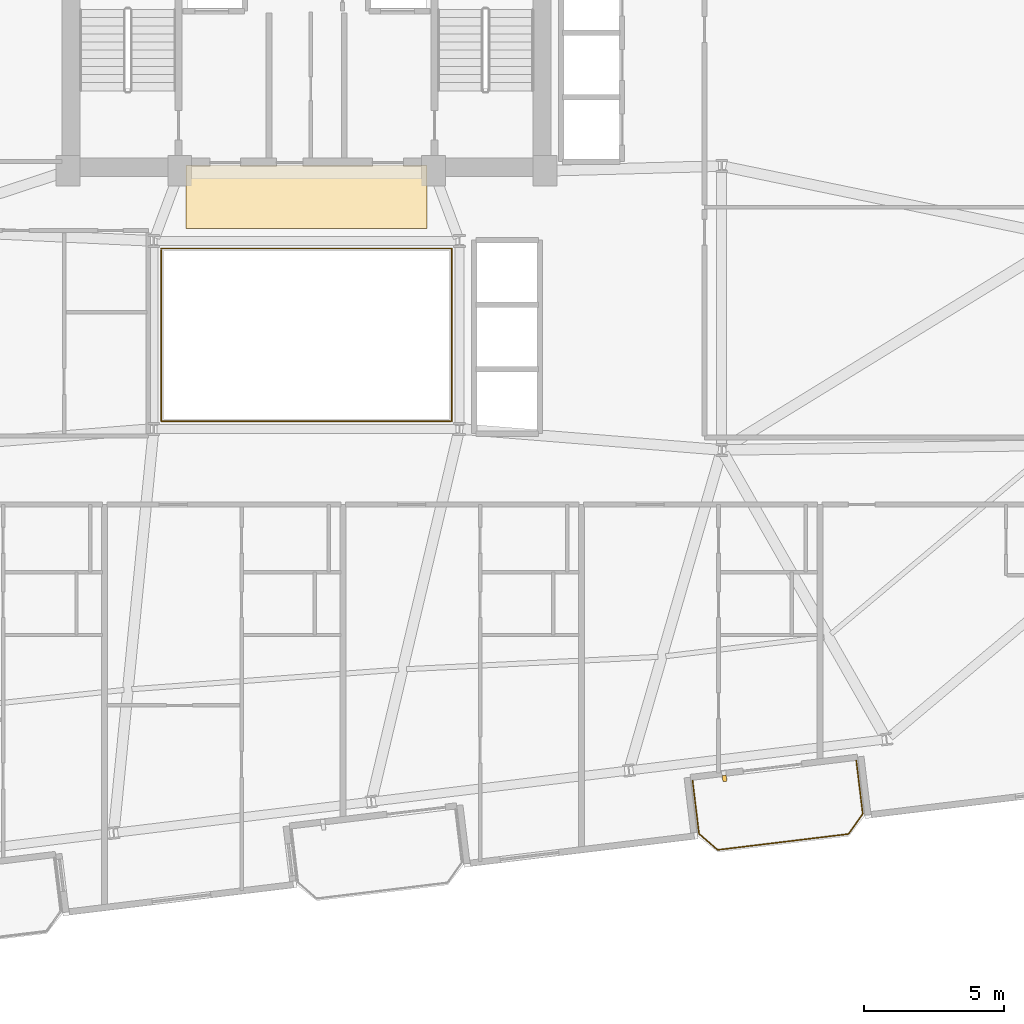
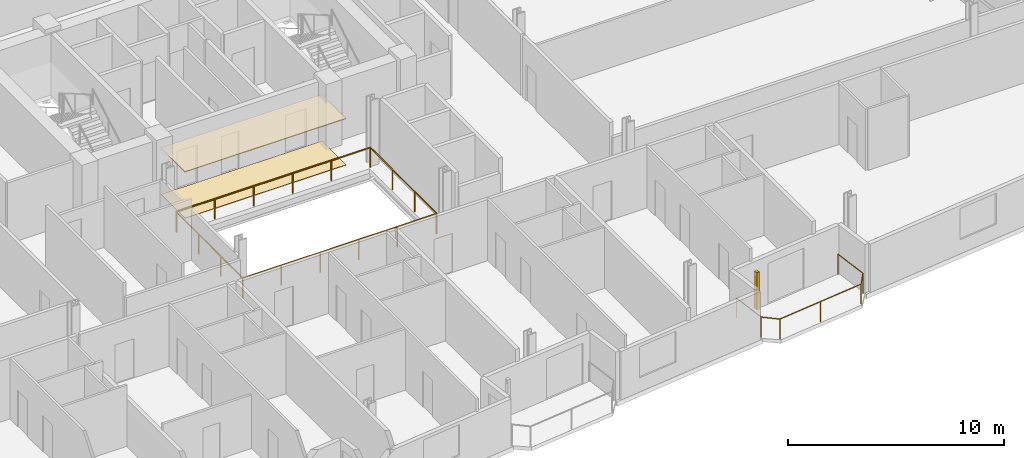
# One storey, part 22 of 24: 3 railings, 2 coverings, 1 shading device.
"""IFC4 building model written with IfcOpenShell, lengths in metres."""

from ifc_helpers import new_model, si_unit, direction, frame, origin, origin_2d, place, context, subcontext, project, spatial, rectangle, circle, extrude, source, transform, mapped, material, layer, layer_set, type_object, element, save


model = new_model("IFC4")

# Units and contexts
model_context = context("Model", 3, precision=1e-05, world=origin(), true_north=direction((0.0, 1.0)))
body_context = subcontext(model_context, "Body", "Model", "MODEL_VIEW")
ifc_project = project(units=[si_unit("LENGTHUNIT", "METRE"), si_unit("AREAUNIT", "SQUARE_METRE"), si_unit("VOLUMEUNIT", "CUBIC_METRE"), si_unit("PLANEANGLEUNIT", "RADIAN"), si_unit("MASSUNIT", "GRAM", prefix="KILO")], contexts=[model_context])

# Site, building, storey
site_placement = place(None, origin())
site = spatial("IfcSite", under=ifc_project, at=site_placement, CompositionType="ELEMENT")
building_placement = place(site_placement, origin())
building = spatial("IfcBuilding", under=site, at=building_placement, Name="Varnelok Gate Tower", CompositionType="ELEMENT")
storey_placement = place(building_placement, frame((0.0, 0.0, 196.800048828125)))
storey = spatial("IfcBuildingStorey", under=building, at=storey_placement, Name="L50", CompositionType="ELEMENT", Elevation=196.800048828125)

# Railings
ifc_material_1 = material(Name="Tempered Laminated Balustrade Glass", Category="glass")
railing_type_1 = type_object("IfcRailingType", Name="RL-ATR-GUARD1150", PredefinedType="GUARDRAIL", material=ifc_material_1)
railing_1_placement = place(storey_placement, frame((34.02001953125, 25.929931640625, 0.0)))
element("IfcRailing", 1, at=railing_1_placement, inside=storey, type_object=railing_type_1, Name="L50 Internal Atrium South-West Guardrail", PredefinedType="GUARDRAIL", context=body_context, shape_type="SweptSolid", body=[
    extrude(circle(Radius=0.02392578125, at=origin_2d()), frame((0.0, 0.0, 1.1259765625), z_axis=(0.0, -1.0, 0.0), x_axis=(1.0, 0.0, 0.0)), (0.0, 0.0, 1.0), 6.10986328125),
    extrude(circle(Radius=0.02392578125, at=origin_2d()), frame((0.0, -6.10986328125, 1.1259765625), z_axis=(1.0, 0.0, 0.0), x_axis=(0.0, 1.0, 0.0)), (0.0, 0.0, 1.0), 10.31005859375),
    extrude(circle(Radius=0.02099609375, at=origin_2d()), origin(), (0.0, 0.0, 1.0), 1.101806640625),
    extrude(circle(Radius=0.02099609375, at=origin_2d()), frame((0.0, -2.03662109375, 0.0)), (0.0, 0.0, 1.0), 1.101806640625),
    extrude(circle(Radius=0.02099609375, at=origin_2d()), frame((0.0, -4.0732421875, 0.0)), (0.0, 0.0, 1.0), 1.101806640625),
    extrude(circle(Radius=0.02099609375, at=origin_2d()), frame((0.0, -6.10986328125, 0.0)), (0.0, 0.0, 1.0), 1.101806640625),
    extrude(circle(Radius=0.02099609375, at=origin_2d()), frame((2.06201171875, -6.10986328125, 0.0)), (0.0, 0.0, 1.0), 1.101806640625),
    extrude(circle(Radius=0.02099609375, at=origin_2d()), frame((4.1240234375, -6.10986328125, 0.0)), (0.0, 0.0, 1.0), 1.101806640625),
    extrude(circle(Radius=0.02099609375, at=origin_2d()), frame((6.18603515625, -6.10986328125, 0.0)), (0.0, 0.0, 1.0), 1.101806640625),
    extrude(circle(Radius=0.02099609375, at=origin_2d()), frame((8.248046875, -6.10986328125, 0.0)), (0.0, 0.0, 1.0), 1.101806640625),
    extrude(circle(Radius=0.02099609375, at=origin_2d()), frame((10.31005859375, -6.10986328125, 0.0)), (0.0, 0.0, 1.0), 1.101806640625),
])
railing_2_placement = place(storey_placement, frame((44.3798828125, 19.820068359375, 0.0)))
element("IfcRailing", 2, at=railing_2_placement, inside=storey, type_object=railing_type_1, Name="L50 Internal Atrium North-East Guardrail", PredefinedType="GUARDRAIL", context=body_context, shape_type="SweptSolid", body=[
    extrude(circle(Radius=0.02392578125, at=origin_2d()), frame((0.0, 0.0, 1.1259765625), z_axis=(0.0, 1.0, 0.0), x_axis=(-1.0, 0.0, 0.0)), (0.0, 0.0, 1.0), 6.159912109375),
    extrude(circle(Radius=0.02392578125, at=origin_2d()), frame((0.0, 6.159912109375, 1.1259765625), z_axis=(-1.0, 0.0, 0.0), x_axis=(0.0, -1.0, 0.0)), (0.0, 0.0, 1.0), 10.35986328125),
    extrude(circle(Radius=0.02099609375, at=origin_2d()), origin(), (0.0, 0.0, 1.0), 1.101806640625),
    extrude(circle(Radius=0.02099609375, at=origin_2d()), frame((0.0, 2.05322265625, 0.0)), (0.0, 0.0, 1.0), 1.101806640625),
    extrude(circle(Radius=0.02099609375, at=origin_2d()), frame((0.0, 4.106689453125, 0.0)), (0.0, 0.0, 1.0), 1.101806640625),
    extrude(circle(Radius=0.02099609375, at=origin_2d()), frame((0.0, 6.159912109375, 0.0)), (0.0, 0.0, 1.0), 1.101806640625),
    extrude(circle(Radius=0.02099609375, at=origin_2d()), frame((-2.072021484375, 6.159912109375, 0.0)), (0.0, 0.0, 1.0), 1.101806640625),
    extrude(circle(Radius=0.02099609375, at=origin_2d()), frame((-4.14404296875, 6.159912109375, 0.0)), (0.0, 0.0, 1.0), 1.101806640625),
    extrude(circle(Radius=0.02099609375, at=origin_2d()), frame((-6.2158203125, 6.159912109375, 0.0)), (0.0, 0.0, 1.0), 1.101806640625),
    extrude(circle(Radius=0.02099609375, at=origin_2d()), frame((-8.287841796875, 6.159912109375, 0.0)), (0.0, 0.0, 1.0), 1.101806640625),
    extrude(circle(Radius=0.02099609375, at=origin_2d()), frame((-10.35986328125, 6.159912109375, 0.0)), (0.0, 0.0, 1.0), 1.101806640625),
])
ifc_material_2 = material(Name="Low-E Laminated Double Glazing IGU", Category="glass")
railing_type_2 = type_object("IfcRailingType", Name="RL-BALC-1150", PredefinedType="BALUSTRADE", material=ifc_material_2)
railing_3_placement = place(storey_placement, frame((52.95947265625, 7.023193359375, 0.0)))
element("IfcRailing", 3, at=railing_3_placement, inside=storey, type_object=railing_type_2, Name="L50 South Terrace Balustrade 3", PredefinedType="BALUSTRADE", context=body_context, shape_type="SweptSolid", body=[
    extrude(circle(Radius=0.02392578125, at=origin_2d()), frame((0.0, 0.0, 1.1259765625), z_axis=(0.12040351024, -0.992725034802, 0.0), x_axis=(0.992725034802, 0.12040351024, 0.0)), (0.0, 0.0, 1.0), 1.920166015625),
    extrude(circle(Radius=0.02392578125, at=origin_2d()), frame((0.231201171875, -1.90625, 1.1259765625), z_axis=(0.756303655992, -0.654220742513, 0.0), x_axis=(0.654220742513, 0.756303655992, 0.0)), (0.0, 0.0, 1.0), 0.877685546875),
    extrude(circle(Radius=0.02392578125, at=origin_2d()), frame((0.89501953125, -2.48046875, 1.1259765625), z_axis=(0.99273133746, 0.120351533534, 0.0), x_axis=(-0.120351533534, 0.99273133746, 0.0)), (0.0, 0.0, 1.0), 4.7001953125),
    extrude(circle(Radius=0.02392578125, at=origin_2d()), frame((5.56103515625, -1.914794921875, 1.1259765625), z_axis=(0.577971037086, 0.816057277579, 0.0), x_axis=(-0.816057277579, 0.577971037086, 0.0)), (0.0, 0.0, 1.0), 0.877685546875),
    extrude(circle(Radius=0.02392578125, at=origin_2d()), frame((6.068359375, -1.198486328125, 1.1259765625), z_axis=(-0.120293392036, 0.992738384386, 0.0), x_axis=(-0.992738384386, -0.120293392036, 0.0)), (0.0, 0.0, 1.0), 1.919921875),
    extrude(circle(Radius=0.02099609375, at=origin_2d()), origin(), (0.0, 0.0, 1.0), 1.101806640625),
    extrude(circle(Radius=0.02099609375, at=origin_2d()), frame((0.231201171875, -1.90625, 0.0)), (0.0, 0.0, 1.0), 1.101806640625),
    extrude(circle(Radius=0.02099609375, at=origin_2d()), frame((0.89501953125, -2.48046875, 0.0)), (0.0, 0.0, 1.0), 1.101806640625),
    extrude(circle(Radius=0.02099609375, at=origin_2d()), frame((3.22802734375, -2.19775390625, 0.0)), (0.0, 0.0, 1.0), 1.101806640625),
    extrude(circle(Radius=0.02099609375, at=origin_2d()), frame((5.56103515625, -1.914794921875, 0.0)), (0.0, 0.0, 1.0), 1.101806640625),
    extrude(circle(Radius=0.02099609375, at=origin_2d()), frame((6.068359375, -1.198486328125, 0.0)), (0.0, 0.0, 1.0), 1.101806640625),
    extrude(circle(Radius=0.02099609375, at=origin_2d()), frame((5.83740234375, 0.70751953125, 0.0)), (0.0, 0.0, 1.0), 1.101806640625),
])

# Shading device
ifc_material_3 = material(Name="Glazed Architectural Terracotta Ceramic", Category="masonry")
shading_device_type = type_object("IfcShadingDeviceType", Name="SHD-TERRA-BAGUETTE", PredefinedType="USERDEFINED", material=ifc_material_3)
shared_shape_1 = source(origin(), body_context, "Body", "SweptSolid", [
    extrude(rectangle(XDim=0.139892578125, YDim=0.219970703125, at=origin_2d()), origin(), (0.0, 0.0, 1.0), 2.10009765625),
])
shading_device_placement = place(storey_placement, frame((54.099609375, 7.0908203125, 0.099853515625), z_axis=(0.0, 0.0, 1.0), x_axis=(0.992732158755, 0.12034475881, 0.0)))
element("IfcShadingDevice", 4, at=shading_device_placement, inside=storey, type_object=shading_device_type, Name="L50 Terracotta Ceramic Baguette Sunscreen 3.1", ObjectType="BAGUETTE", PredefinedType="USERDEFINED", context=body_context, shape_type="MappedRepresentation", body=[
    mapped(shared_shape_1, transform((0.0, 0.0, 0.0), scale=1.0)),
])

# Coverings
ifc_material_4 = material(Name="Honed Travertine Stone Flooring", Category="masonry")
ifc_layer_1 = layer(ifc_material_4, 0.02490234375)
ifc_layer_set_1 = layer_set([ifc_layer_1], Name="Honed Travertine Stone Flooring")
covering_type_1 = type_object("IfcCoveringType", Name="COV-FLOR-STONE", PredefinedType="FLOORING", material=ifc_layer_set_1)
shared_shape_2 = source(origin(), body_context, "Body", "SweptSolid", [
    extrude(rectangle(XDim=8.60009765625, YDim=2.219970703125, at=origin_2d()), origin(), (0.0, 0.0, 1.0), 0.02490234375),
])
covering_1_placement = place(storey_placement, frame((39.199951171875, 27.800048828125, 0.0), z_axis=(0.0, 0.0, 1.0), x_axis=(1.0, 0.0, 0.0)))
element("IfcCovering", 5, at=covering_1_placement, inside=storey, type_object=covering_type_1, Name="L50 Core Gallery Stone Flooring", PredefinedType="FLOORING", context=body_context, shape_type="MappedRepresentation", body=[
    mapped(shared_shape_2, transform((0.0, 0.0, 0.0), scale=1.0)),
])
ifc_material_5 = material(Name="Mineral Fiber Acoustic Ceiling Tile")
ifc_layer_2 = layer(ifc_material_5, 0.0400390625)
ifc_layer_set_2 = layer_set([ifc_layer_2], Name="Mineral Fiber Acoustic Ceiling Tile")
covering_type_2 = type_object("IfcCoveringType", Name="COV-CEIL-ACOUST", PredefinedType="CEILING", material=ifc_layer_set_2)
shared_shape_3 = source(origin(), body_context, "Body", "SweptSolid", [
    extrude(rectangle(XDim=8.60009765625, YDim=2.239990234375, at=origin_2d()), origin(), (0.0, 0.0, 1.0), 0.0400390625),
])
covering_2_placement = place(storey_placement, frame((39.199951171875, 27.820068359375, 2.599853515625), z_axis=(0.0, 0.0, 1.0), x_axis=(1.0, 0.0, 0.0)))
element("IfcCovering", 6, at=covering_2_placement, inside=storey, type_object=covering_type_2, Name="L50 Core Gallery Acoustic Ceiling", PredefinedType="CEILING", context=body_context, shape_type="MappedRepresentation", body=[
    mapped(shared_shape_3, transform((0.0, 0.0, 0.0), scale=1.0)),
])

save(model, "model.ifc")
